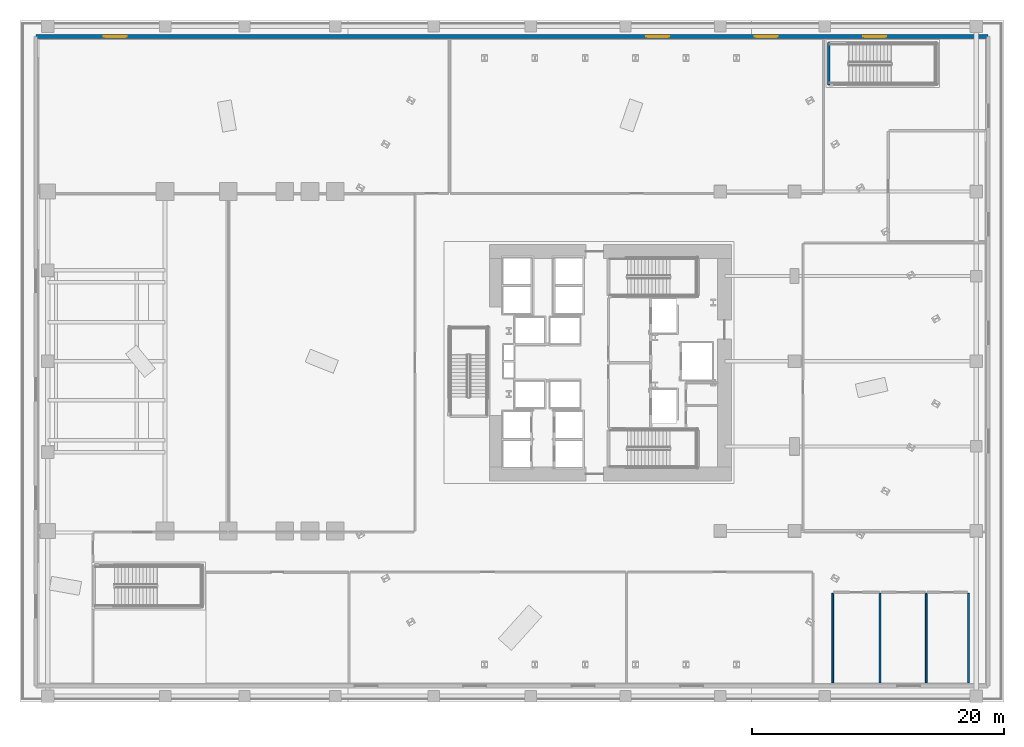
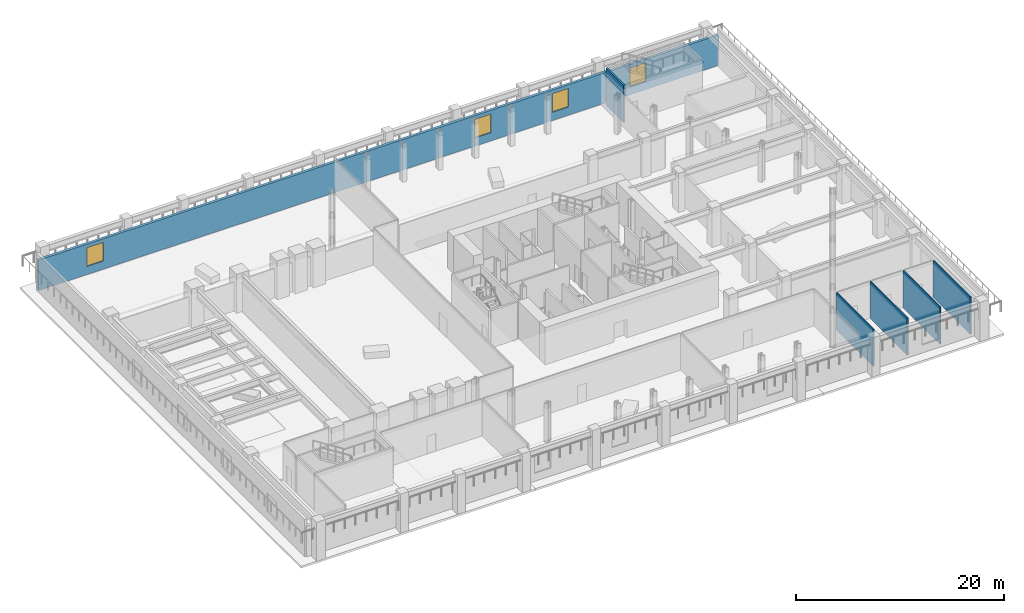
# One storey, part 6 of 18: 6 walls, 4 windows, 4 openings.
"""IFC4 building model written with IfcOpenShell, lengths in metres."""

from ifc_helpers import new_model, si_unit, direction, frame, frame_2d, origin, place, context, subcontext, project, spatial, rectangle, extrude, material, layer, layer_set, type_object, element, fill, save


model = new_model("IFC4")

# Units and contexts
model_context = context("Model", 3, precision=1e-05, world=origin(), true_north=direction((0.0, 1.0)))
body_context = subcontext(model_context, "Body", "Model", "MODEL_VIEW")
ifc_project = project(units=[si_unit("LENGTHUNIT", "METRE"), si_unit("AREAUNIT", "SQUARE_METRE"), si_unit("VOLUMEUNIT", "CUBIC_METRE"), si_unit("PLANEANGLEUNIT", "RADIAN"), si_unit("MASSUNIT", "GRAM", prefix="KILO")], contexts=[model_context])

# Site, building, storey
site_placement = place(None, origin())
site = spatial("IfcSite", under=ifc_project, at=site_placement, CompositionType="ELEMENT")
building_placement = place(site_placement, origin())
building = spatial("IfcBuilding", under=site, at=building_placement, Name="Valkerne Bourse Tower", CompositionType="ELEMENT")
storey_placement = place(building_placement, frame((0.0, 0.0, 14.800048828125)))
storey = spatial("IfcBuildingStorey", under=building, at=storey_placement, Name="L03", CompositionType="ELEMENT", Elevation=14.800048828125)

# Wall, openings, windows
ifc_material_1 = material(Name="Bronze Anodised Aluminium AA 6063-T6", Category="aluminium")
ifc_layer_1 = layer(ifc_material_1, 0.300048828125)
ifc_layer_set_1 = layer_set([ifc_layer_1], Name="Bronze Anodised Aluminium AA 6063-T6")
wall_type_1 = type_object("IfcWallType", Name="W-EXT-ALUM-300", PredefinedType="STANDARD", material=ifc_layer_set_1)
wall_1_placement = place(storey_placement, frame((1.25, 52.75, 0.0), z_axis=(0.0, 0.0, 1.0), x_axis=(1.0, 0.0, 0.0)))
wall_1 = element("IfcWall", 1, at=wall_1_placement, inside=storey, type_object=wall_type_1, Name="L03 Podium Exterior Wall NORTH", PredefinedType="STANDARD", context=body_context, shape_type="SweptSolid", body=[
    extrude(rectangle(XDim=75.5, YDim=0.300048828125, at=frame_2d((37.75, 0.0))), origin(), (0.0, 0.0, 1.0), 3.56884765625),
])
opening_1_placement = place(wall_1_placement, frame((5.39990234375, 0.0, 0.949951171875)))
opening_1 = element("IfcOpeningElement", 2, at=opening_1_placement, cuts=wall_1, Name="Opening WN-03", PredefinedType="OPENING", context=body_context, shape_type="SweptSolid", body=[
    extrude(rectangle(XDim=1.800048828125, YDim=2.199951171875, at=frame_2d((0.89990234375, 1.10009765625))), frame((0.0, 0.159912109375, 0.0), z_axis=(0.0, -1.0, 0.0), x_axis=(1.0, 0.0, 0.0)), (0.0, 0.0, 1.0), 0.320068359375),
])
opening_2_placement = place(wall_1_placement, frame((48.39990234375, 0.0, 0.949951171875)))
opening_2 = element("IfcOpeningElement", 3, at=opening_2_placement, cuts=wall_1, Name="Opening WN-03", PredefinedType="OPENING", context=body_context, shape_type="SweptSolid", body=[
    extrude(rectangle(XDim=1.800048828125, YDim=2.199951171875, at=frame_2d((0.89990234375, 1.10009765625))), frame((0.0, 0.159912109375, 0.0), z_axis=(0.0, -1.0, 0.0), x_axis=(1.0, 0.0, 0.0)), (0.0, 0.0, 1.0), 0.320068359375),
])
opening_3_placement = place(wall_1_placement, frame((57.0, 0.0, 0.949951171875)))
opening_3 = element("IfcOpeningElement", 4, at=opening_3_placement, cuts=wall_1, Name="Opening WN-03", PredefinedType="OPENING", context=body_context, shape_type="SweptSolid", body=[
    extrude(rectangle(XDim=1.800048828125, YDim=2.199951171875, at=frame_2d((0.89990234375, 1.10009765625))), frame((0.0, 0.159912109375, 0.0), z_axis=(0.0, -1.0, 0.0), x_axis=(1.0, 0.0, 0.0)), (0.0, 0.0, 1.0), 0.320068359375),
])
opening_4_placement = place(wall_1_placement, frame((65.60009765625, 0.0, 0.949951171875)))
opening_4 = element("IfcOpeningElement", 5, at=opening_4_placement, cuts=wall_1, Name="Opening WN-03", PredefinedType="OPENING", context=body_context, shape_type="SweptSolid", body=[
    extrude(rectangle(XDim=1.800048828125, YDim=2.199951171875, at=frame_2d((0.89990234375, 1.10009765625))), frame((0.0, 0.159912109375, 0.0), z_axis=(0.0, -1.0, 0.0), x_axis=(1.0, 0.0, 0.0)), (0.0, 0.0, 1.0), 0.320068359375),
])
ifc_material_2 = material(Name="Glass IGU Low-E Double Glazed", Category="glass")
window_type = type_object("IfcWindowType", Name="WIN-POD-1800X2200", PartitioningType="SINGLE_PANEL", PredefinedType="WINDOW", material=ifc_material_2)
window_1_placement = place(opening_1_placement, origin())
window_1 = element("IfcWindow", 6, at=window_1_placement, inside=storey, type_object=window_type, Name="L03 Podium Low-E Window 05", OverallHeight=2.199951171875, OverallWidth=1.800048828125, PartitioningType="SINGLE_PANEL", PredefinedType="WINDOW", context=body_context, shape_type="SweptSolid", body=[
    extrude(rectangle(XDim=1.800048828125, YDim=2.199951171875, at=frame_2d((0.89990234375, 1.10009765625))), frame((0.0, 0.030029296875, 0.0), z_axis=(0.0, -1.0, 0.0), x_axis=(1.0, 0.0, 0.0)), (0.0, 0.0, 1.0), 0.06005859375),
])
fill(opening_1, window_1)
window_2_placement = place(opening_2_placement, origin())
window_2 = element("IfcWindow", 7, at=window_2_placement, inside=storey, type_object=window_type, Name="L03 Podium Low-E Window 06", OverallHeight=2.199951171875, OverallWidth=1.800048828125, PartitioningType="SINGLE_PANEL", PredefinedType="WINDOW", context=body_context, shape_type="SweptSolid", body=[
    extrude(rectangle(XDim=1.800048828125, YDim=2.199951171875, at=frame_2d((0.89990234375, 1.10009765625))), frame((0.0, 0.030029296875, 0.0), z_axis=(0.0, -1.0, 0.0), x_axis=(1.0, 0.0, 0.0)), (0.0, 0.0, 1.0), 0.06005859375),
])
fill(opening_2, window_2)
window_3_placement = place(opening_3_placement, origin())
window_3 = element("IfcWindow", 8, at=window_3_placement, inside=storey, type_object=window_type, Name="L03 Podium Low-E Window 07", OverallHeight=2.199951171875, OverallWidth=1.800048828125, PartitioningType="SINGLE_PANEL", PredefinedType="WINDOW", context=body_context, shape_type="SweptSolid", body=[
    extrude(rectangle(XDim=1.800048828125, YDim=2.199951171875, at=frame_2d((0.89990234375, 1.10009765625))), frame((0.0, 0.030029296875, 0.0), z_axis=(0.0, -1.0, 0.0), x_axis=(1.0, 0.0, 0.0)), (0.0, 0.0, 1.0), 0.06005859375),
])
fill(opening_3, window_3)
window_4_placement = place(opening_4_placement, origin())
window_4 = element("IfcWindow", 9, at=window_4_placement, inside=storey, type_object=window_type, Name="L03 Podium Low-E Window 08", OverallHeight=2.199951171875, OverallWidth=1.800048828125, PartitioningType="SINGLE_PANEL", PredefinedType="WINDOW", context=body_context, shape_type="SweptSolid", body=[
    extrude(rectangle(XDim=1.800048828125, YDim=2.199951171875, at=frame_2d((0.89990234375, 1.10009765625))), frame((0.0, 0.030029296875, 0.0), z_axis=(0.0, -1.0, 0.0), x_axis=(1.0, 0.0, 0.0)), (0.0, 0.0, 1.0), 0.06005859375),
])
fill(opening_4, window_4)

# Walls
ifc_material_3 = material(Name="Concrete C40/50", Category="concrete")
ifc_layer_2 = layer(ifc_material_3, 0.199951171875)
ifc_layer_set_2 = layer_set([ifc_layer_2], Name="Concrete C40/50")
wall_type_2 = type_object("IfcWallType", Name="W-SHF-200", PredefinedType="SHEAR", material=ifc_layer_set_2)
wall_2_placement = place(storey_placement, frame((64.10009765625, 48.89990234375, 0.0), z_axis=(0.0, 0.0, 1.0), x_axis=(0.0, 1.0, 0.0)))
element("IfcWall", 10, at=wall_2_placement, inside=storey, type_object=wall_type_2, Name="L03 Exit Stair ST-P2 Structural West Wall", PredefinedType="SHEAR", context=body_context, shape_type="SweptSolid", body=[
    extrude(rectangle(XDim=3.35009765625, YDim=0.199951171875, at=frame_2d((1.675048828125, 0.0))), origin(), (0.0, 0.0, 1.0), 4.35986328125),
])
ifc_material_4 = material(Name="Moisture-Resistant Gypsum Partition", Category="gypsum")
ifc_layer_3 = layer(ifc_material_4, 0.139892578125)
ifc_layer_set_3 = layer_set([ifc_layer_3], Name="Moisture-Resistant Gypsum Partition")
wall_type_3 = type_object("IfcWallType", Name="W-WET-140", PredefinedType="PARTITIONING", material=ifc_layer_set_3)
for number, where, z_axis, x_axis, name in (
    (11, (64.419921875, 1.5, 0.0), (0.0, 0.0, 1.0), (0.0, 1.0, 0.0), "L03 L03 Men Bathroom WC Wall"),
    (12, (68.179931640625, 1.5, 0.0), (0.0, 0.0, 1.0), (0.0, 1.0, 0.0), "L03 L03 Men Bathroom WC Wall"),
    (13, (71.830078125, 1.5, 0.0), (0.0, 0.0, 1.0), (0.0, 1.0, 0.0), "L03 L03 Women Bathroom WC Wall"),
    (14, (75.179931640625, 1.5, 0.0), (0.0, 0.0, 1.0), (0.0, 1.0, 0.0), "L03 L03 Accessible Bathroom WC Wall"),
):
    element("IfcWall", number, at=place(storey_placement, frame(where, z_axis=z_axis, x_axis=x_axis)), inside=storey, type_object=wall_type_3, Name=name, PredefinedType="PARTITIONING", context=body_context, shape_type="SweptSolid", body=[
        extrude(rectangle(XDim=7.10009765625, YDim=0.139892578125, at=frame_2d((3.550048828125, 0.0))), origin(), (0.0, 0.0, 1.0), 4.35986328125),
    ])

save(model, "model.ifc")
